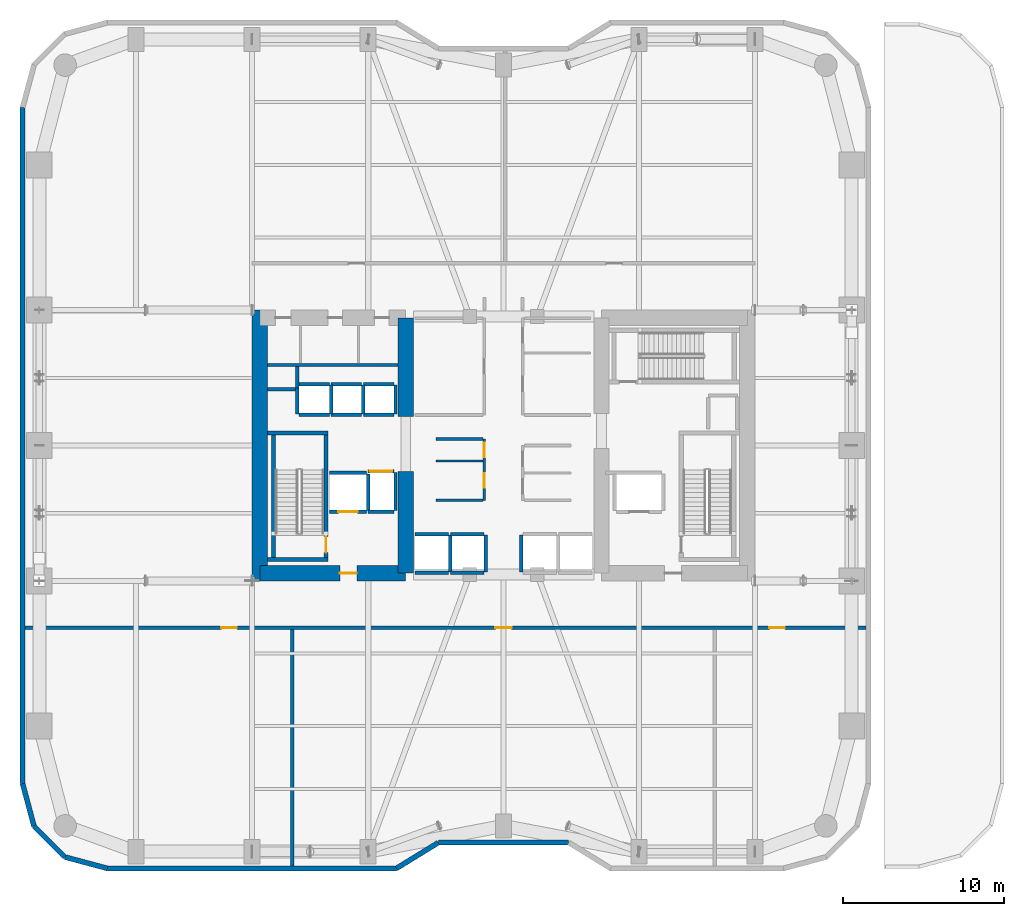
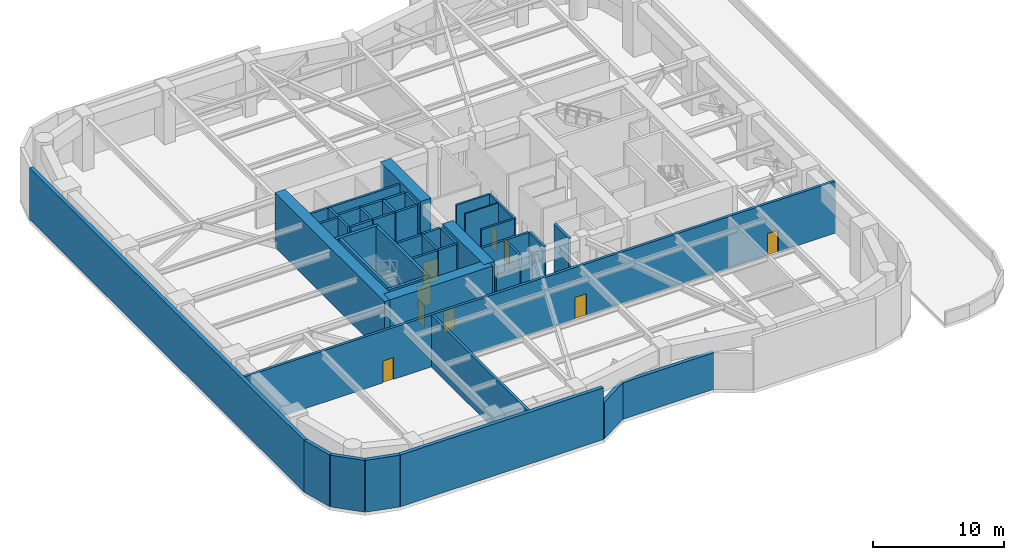
# One storey, part 12 of 16: 47 walls, 9 doors, 9 openings.
"""IFC4 building model written with IfcOpenShell, lengths in metres."""

from ifc_helpers import new_model, si_unit, direction, frame, frame_2d, origin, place, context, subcontext, project, spatial, rectangle, extrude, material, layer, layer_set, type_object, element, fill, save


model = new_model("IFC4")

# Units and contexts
model_context = context("Model", 3, precision=1e-05, world=origin(), true_north=direction((0.0, 1.0)))
body_context = subcontext(model_context, "Body", "Model", "MODEL_VIEW")
ifc_project = project(units=[si_unit("LENGTHUNIT", "METRE"), si_unit("AREAUNIT", "SQUARE_METRE"), si_unit("VOLUMEUNIT", "CUBIC_METRE"), si_unit("PLANEANGLEUNIT", "RADIAN"), si_unit("MASSUNIT", "GRAM", prefix="KILO")], contexts=[model_context])

# Site, building, storey
site_placement = place(None, origin())
site = spatial("IfcSite", under=ifc_project, at=site_placement, CompositionType="ELEMENT")
building_placement = place(site_placement, origin())
building = spatial("IfcBuilding", under=site, at=building_placement, Name="Kiyonajd Concourse Tower", CompositionType="ELEMENT")
storey_placement = place(building_placement, frame((0.0, 0.0, 80.699951171875)))
storey = spatial("IfcBuildingStorey", under=building, at=storey_placement, Name="L21", CompositionType="ELEMENT", Elevation=80.699951171875)

# Walls
ifc_material_1 = material(Name="Concrete C80/95", Category="concrete")
ifc_layer_1 = layer(ifc_material_1, 0.949951171875)
ifc_layer_set_1 = layer_set([ifc_layer_1], Name="Concrete C80/95")
wall_type_1 = type_object("IfcWallType", Name="WL-CORE-950", PredefinedType="SHEAR", material=ifc_layer_set_1)
wall_1_placement = place(storey_placement, frame((32.875, 27.60009765625, 0.0), z_axis=(0.0, 0.0, 1.0), x_axis=(0.0, 1.0, 0.0)))
element("IfcWall", 1, at=wall_1_placement, inside=storey, type_object=wall_type_1, Name="L21 West Core Outer Shear Wall", PredefinedType="SHEAR", context=body_context, shape_type="SweptSolid", body=[
    extrude(rectangle(XDim=16.7998046875, YDim=0.949951171875, at=frame_2d((8.39990234375, 0.0))), origin(), (0.0, 0.0, 1.0), 5.10009765625),
])
wall_2_placement = place(storey_placement, frame((41.925048828125, 28.074951171875, 0.0), z_axis=(0.0, 0.0, 1.0), x_axis=(0.0, 1.0, 0.0)))
element("IfcWall", 2, at=wall_2_placement, inside=storey, type_object=wall_type_1, Name="L21 West Core Inner South Shear Wall", PredefinedType="SHEAR", context=body_context, shape_type="SweptSolid", body=[
    extrude(rectangle(XDim=6.324951171875, YDim=0.949951171875, at=frame_2d((3.16259765625, 0.0))), origin(), (0.0, 0.0, 1.0), 5.10009765625),
])
wall_3_placement = place(storey_placement, frame((41.925048828125, 37.800048828125, 0.0), z_axis=(0.0, 0.0, 1.0), x_axis=(0.0, 1.0, 0.0)))
element("IfcWall", 3, at=wall_3_placement, inside=storey, type_object=wall_type_1, Name="L21 West Core Inner North Shear Wall", PredefinedType="SHEAR", context=body_context, shape_type="SweptSolid", body=[
    extrude(rectangle(XDim=6.125, YDim=0.949951171875, at=frame_2d((3.0625, 0.0))), origin(), (0.0, 0.0, 1.0), 5.10009765625),
])

# Wall, opening, door
wall_4_placement = place(storey_placement, frame((32.875, 28.074951171875, 0.0), z_axis=(0.0, 0.0, 1.0), x_axis=(1.0, 0.0, 0.0)))
wall_4 = element("IfcWall", 4, at=wall_4_placement, inside=storey, type_object=wall_type_1, Name="L21 West Core South Shear Wall", PredefinedType="SHEAR", context=body_context, shape_type="SweptSolid", body=[
    extrude(rectangle(XDim=9.050048828125, YDim=0.949951171875, at=frame_2d((4.52490234375, 0.0))), origin(), (0.0, 0.0, 1.0), 5.10009765625),
])
opening_1_placement = place(wall_4_placement, frame((4.97509765625, 0.0, 0.0)))
opening_1 = element("IfcOpeningElement", 5, at=opening_1_placement, cuts=wall_4, Name="Opening DF5", PredefinedType="OPENING", context=body_context, shape_type="SweptSolid", body=[
    extrude(rectangle(XDim=1.050048828125, YDim=2.0400390625, at=frame_2d((0.52490234375, 1.02001953125))), frame((0.0, 0.48486328125, 0.0), z_axis=(0.0, -1.0, 0.0), x_axis=(1.0, 0.0, 0.0)), (0.0, 0.0, 1.0), 0.969970703125),
])
ifc_material_2 = material(Name="Brushed Stainless Steel Cab Assembly", Category="steel")
door_type_1 = type_object("IfcDoorType", Name="DR-FD45-1050", OperationType="NOTDEFINED", PredefinedType="DOOR", material=ifc_material_2)
door_1_placement = place(opening_1_placement, origin())
door_1 = element("IfcDoor", 6, at=door_1_placement, inside=storey, type_object=door_type_1, Name="L21 Firefighting Lift Lobby W Smoke Door", OperationType="SINGLE_SWING_LEFT", OverallHeight=2.0400390625, OverallWidth=1.050048828125, PredefinedType="DOOR", context=body_context, shape_type="SweptSolid", body=[
    extrude(rectangle(XDim=1.050048828125, YDim=2.0400390625, at=frame_2d((0.52490234375, 1.02001953125))), frame((0.0, 0.02490234375, 0.0), z_axis=(0.0, -1.0, 0.0), x_axis=(1.0, 0.0, 0.0)), (0.0, 0.0, 1.0), 0.050048828125),
])
fill(opening_1, door_1)

# Walls
ifc_material_3 = material(Name="Precast concrete C50/60", Category="concrete")
ifc_layer_2 = layer(ifc_material_3, 0.320068359375)
ifc_layer_set_2 = layer_set([ifc_layer_2], Name="Precast concrete C50/60")
wall_type_2 = type_object("IfcWallType", Name="WL-EXT-320", PredefinedType="SOLIDWALL", material=ifc_layer_set_2)
wall_5_placement = place(storey_placement, frame((18.159912109375, 15.02099609375, 0.0), z_axis=(0.0, 0.0, 1.0), x_axis=(0.0, 1.0, 0.0)))
element("IfcWall", 7, at=wall_5_placement, inside=storey, type_object=wall_type_2, Name="L21 Exterior Concrete Frame Wall 00", PredefinedType="SOLIDWALL", context=body_context, shape_type="SweptSolid", body=[
    extrude(rectangle(XDim=41.9580078125, YDim=0.320068359375, at=frame_2d((20.97900390625, 0.0))), origin(), (0.0, 0.0, 1.0), 4.840087890625),
])
wall_6_placement = place(storey_placement, frame((52.04541015625, 11.360107421875, 0.0), z_axis=(0.0, 0.0, 1.0), x_axis=(-1.0, 0.0, 0.0)))
element("IfcWall", 8, at=wall_6_placement, inside=storey, type_object=wall_type_2, Name="L21 Exterior Concrete Frame Wall 18", PredefinedType="SOLIDWALL", context=body_context, shape_type="SweptSolid", body=[
    extrude(rectangle(XDim=8.0908203125, YDim=0.320068359375, at=frame_2d((4.04541015625, 0.0))), origin(), (0.0, 0.0, 1.0), 3.425048828125),
])
wall_7_placement = place(storey_placement, frame((43.95458984375, 11.360107421875, 0.0), z_axis=(0.0, 0.0, 1.0), x_axis=(-0.851630857047, -0.524142044989, 0.0)))
element("IfcWall", 9, at=wall_7_placement, inside=storey, type_object=wall_type_2, Name="L21 Exterior Concrete Frame Wall 19", PredefinedType="SOLIDWALL", context=body_context, shape_type="SweptSolid", body=[
    extrude(rectangle(XDim=3.052734375, YDim=0.320068359375, at=frame_2d((1.5263671875, 0.0))), origin(), (0.0, 0.0, 1.0), 3.425048828125),
])
wall_8_placement = place(storey_placement, frame((41.354736328125, 9.760009765625, 0.0), z_axis=(0.0, 0.0, 1.0), x_axis=(-1.0, 0.0, 0.0)))
element("IfcWall", 10, at=wall_8_placement, inside=storey, type_object=wall_type_2, Name="L21 Exterior Concrete Frame Wall 20", PredefinedType="SOLIDWALL", context=body_context, shape_type="SweptSolid", body=[
    extrude(rectangle(XDim=17.93359375, YDim=0.320068359375, at=frame_2d((8.966796875, 0.0))), origin(), (0.0, 0.0, 1.0), 4.840087890625),
])
wall_9_placement = place(storey_placement, frame((23.421142578125, 9.760009765625, 0.0), z_axis=(0.0, 0.0, 1.0), x_axis=(-0.965964405026, 0.25867502435, 0.0)))
element("IfcWall", 11, at=wall_9_placement, inside=storey, type_object=wall_type_2, Name="L21 Exterior Concrete Frame Wall 21", PredefinedType="SOLIDWALL", context=body_context, shape_type="SweptSolid", body=[
    extrude(rectangle(XDim=2.7314453125, YDim=0.320068359375, at=frame_2d((1.36572265625, 0.0))), origin(), (0.0, 0.0, 1.0), 4.840087890625),
])
wall_10_placement = place(storey_placement, frame((20.78271484375, 10.466552734375, 0.0), z_axis=(0.0, 0.0, 1.0), x_axis=(-0.707106781187, 0.707106781187, 0.0)))
element("IfcWall", 12, at=wall_10_placement, inside=storey, type_object=wall_type_2, Name="L21 Exterior Concrete Frame Wall 22", PredefinedType="SOLIDWALL", context=body_context, shape_type="SweptSolid", body=[
    extrude(rectangle(XDim=2.7099609375, YDim=0.320068359375, at=frame_2d((1.35498046875, 0.0))), origin(), (0.0, 0.0, 1.0), 4.840087890625),
])
wall_11_placement = place(storey_placement, frame((18.866455078125, 12.3828125, 0.0), z_axis=(0.0, 0.0, 1.0), x_axis=(-0.25869736047, 0.965958423373, 0.0)))
element("IfcWall", 13, at=wall_11_placement, inside=storey, type_object=wall_type_2, Name="L21 Exterior Concrete Frame Wall 23", PredefinedType="SOLIDWALL", context=body_context, shape_type="SweptSolid", body=[
    extrude(rectangle(XDim=2.731201171875, YDim=0.320068359375, at=frame_2d((1.36572265625, 0.0))), origin(), (0.0, 0.0, 1.0), 4.840087890625),
])

# Wall, openings, doors
ifc_material_4 = material(Name="Gypsum Board on Cold-Formed Steel Stud", Category="steel")
ifc_layer_3 = layer(ifc_material_4, 0.22998046875)
ifc_layer_set_3 = layer_set([ifc_layer_3], Name="Gypsum Board on Cold-Formed Steel Stud")
wall_type_3 = type_object("IfcWallType", Name="WL-FIRE-230", PredefinedType="PARTITIONING", material=ifc_layer_set_3)
wall_12_placement = place(storey_placement, frame((18.31494140625, 24.699951171875, 0.0), z_axis=(0.0, 0.0, 1.0), x_axis=(1.0, 0.0, 0.0)))
wall_12 = element("IfcWall", 14, at=wall_12_placement, inside=storey, type_object=wall_type_3, Name="L21 Interior Partition Wall", PredefinedType="PARTITIONING", context=body_context, shape_type="SweptSolid", body=[
    extrude(rectangle(XDim=52.170166015625, YDim=0.22998046875, at=frame_2d((26.0849609375, 0.0))), origin(), (0.0, 0.0, 1.0), 4.840087890625),
])
opening_2_placement = place(wall_12_placement, frame((29.18505859375, 0.0, 0.0)))
opening_2 = element("IfcOpeningElement", 15, at=opening_2_placement, cuts=wall_12, Name="Opening DF1", PredefinedType="OPENING", context=body_context, shape_type="SweptSolid", body=[
    extrude(rectangle(XDim=1.0, YDim=2.0400390625, at=frame_2d((0.5, 1.02001953125))), frame((0.0, 0.125, 0.0), z_axis=(0.0, -1.0, 0.0), x_axis=(1.0, 0.0, 0.0)), (0.0, 0.0, 1.0), 0.25),
])
opening_3_placement = place(wall_12_placement, frame((12.18505859375, 0.0, 0.0)))
opening_3 = element("IfcOpeningElement", 16, at=opening_3_placement, cuts=wall_12, Name="Opening DF3", PredefinedType="OPENING", context=body_context, shape_type="SweptSolid", body=[
    extrude(rectangle(XDim=0.949951171875, YDim=2.0400390625, at=frame_2d((0.47509765625, 1.02001953125))), frame((0.0, 0.125, 0.0), z_axis=(0.0, -1.0, 0.0), x_axis=(1.0, 0.0, 0.0)), (0.0, 0.0, 1.0), 0.25),
])
opening_4_placement = place(wall_12_placement, frame((46.18505859375, 0.0, 0.0)))
opening_4 = element("IfcOpeningElement", 17, at=opening_4_placement, cuts=wall_12, Name="Opening DF3", PredefinedType="OPENING", context=body_context, shape_type="SweptSolid", body=[
    extrude(rectangle(XDim=0.949951171875, YDim=2.0400390625, at=frame_2d((0.47509765625, 1.02001953125))), frame((0.0, 0.125, 0.0), z_axis=(0.0, -1.0, 0.0), x_axis=(1.0, 0.0, 0.0)), (0.0, 0.0, 1.0), 0.25),
])
door_type_2 = type_object("IfcDoorType", Name="DR-FD60-950", OperationType="NOTDEFINED", PredefinedType="DOOR", material=ifc_material_2)
door_2_placement = place(opening_3_placement, origin())
door_2 = element("IfcDoor", 18, at=door_2_placement, inside=storey, type_object=door_type_2, Name="L21 Interior Door", OperationType="SINGLE_SWING_RIGHT", OverallHeight=2.0400390625, OverallWidth=0.949951171875, PredefinedType="DOOR", context=body_context, shape_type="SweptSolid", body=[
    extrude(rectangle(XDim=0.949951171875, YDim=2.0400390625, at=frame_2d((0.47509765625, 1.02001953125))), frame((0.0, 0.02490234375, 0.0), z_axis=(0.0, -1.0, 0.0), x_axis=(1.0, 0.0, 0.0)), (0.0, 0.0, 1.0), 0.050048828125),
])
fill(opening_3, door_2)
door_3_placement = place(opening_4_placement, origin())
door_3 = element("IfcDoor", 19, at=door_3_placement, inside=storey, type_object=door_type_2, Name="L21 Interior Door", OperationType="SINGLE_SWING_LEFT", OverallHeight=2.0400390625, OverallWidth=0.949951171875, PredefinedType="DOOR", context=body_context, shape_type="SweptSolid", body=[
    extrude(rectangle(XDim=0.949951171875, YDim=2.0400390625, at=frame_2d((0.47509765625, 1.02001953125))), frame((0.0, 0.02490234375, 0.0), z_axis=(0.0, -1.0, 0.0), x_axis=(1.0, 0.0, 0.0)), (0.0, 0.0, 1.0), 0.050048828125),
])
fill(opening_4, door_3)
door_type_3 = type_object("IfcDoorType", Name="DR-FD90-1000", OperationType="NOTDEFINED", PredefinedType="DOOR", material=ifc_material_2)
door_4_placement = place(opening_2_placement, origin())
door_4 = element("IfcDoor", 20, at=door_4_placement, inside=storey, type_object=door_type_3, Name="L21 Interior Door", OperationType="SINGLE_SWING_LEFT", OverallHeight=2.0400390625, OverallWidth=1.0, PredefinedType="DOOR", context=body_context, shape_type="SweptSolid", body=[
    extrude(rectangle(XDim=1.0, YDim=2.0400390625, at=frame_2d((0.5, 1.02001953125))), frame((0.0, 0.02490234375, 0.0), z_axis=(0.0, -1.0, 0.0), x_axis=(1.0, 0.0, 0.0)), (0.0, 0.0, 1.0), 0.050048828125),
])
fill(opening_2, door_4)

# Walls
wall_13_placement = place(storey_placement, frame((34.89990234375, 9.9150390625, 0.0), z_axis=(0.0, 0.0, 1.0), x_axis=(0.0, 1.0, 0.0)))
element("IfcWall", 21, at=wall_13_placement, inside=storey, type_object=wall_type_3, Name="L21 Interior Partition Wall", PredefinedType="PARTITIONING", context=body_context, shape_type="SweptSolid", body=[
    extrude(rectangle(XDim=14.66796875, YDim=0.22998046875, at=frame_2d((7.333984375, 0.0))), origin(), (0.0, 0.0, 1.0), 4.840087890625),
])
ifc_layer_4 = layer(ifc_material_4, 0.125)
ifc_layer_set_4 = layer_set([ifc_layer_4], Name="Gypsum Board on Cold-Formed Steel Stud")
wall_type_4 = type_object("IfcWallType", Name="WL-PART-125", PredefinedType="PARTITIONING", material=ifc_layer_set_4)
wall_14_placement = place(storey_placement, frame((43.800048828125, 35.031982421875, 0.0), z_axis=(0.0, 0.0, 1.0), x_axis=(1.0, 0.0, 0.0)))
element("IfcWall", 22, at=wall_14_placement, inside=storey, type_object=wall_type_4, Name="L21 Interior Partition Wall", PredefinedType="PARTITIONING", context=body_context, shape_type="SweptSolid", body=[
    extrude(rectangle(XDim=2.912841796875, YDim=0.125, at=frame_2d((1.45654296875, 0.0))), origin(), (0.0, 0.0, 1.0), 4.840087890625),
])
ifc_layer_5 = layer(ifc_material_4, 0.18994140625)
ifc_layer_set_5 = layer_set([ifc_layer_5], Name="Gypsum Board on Cold-Formed Steel Stud")
wall_type_5 = type_object("IfcWallType", Name="WL-PLMB-190", PredefinedType="PLUMBINGWALL", material=ifc_layer_set_5)
wall_15_placement = place(storey_placement, frame((33.35009765625, 41.0, 0.0), z_axis=(0.0, 0.0, 1.0), x_axis=(1.0, 0.0, 0.0)))
element("IfcWall", 23, at=wall_15_placement, inside=storey, type_object=wall_type_5, Name="L21 Interior Partition Wall", PredefinedType="PLUMBINGWALL", context=body_context, shape_type="SweptSolid", body=[
    extrude(rectangle(XDim=8.099853515625, YDim=0.18994140625, at=frame_2d((4.0498046875, 0.0))), origin(), (0.0, 0.0, 1.0), 4.840087890625),
])
ifc_layer_6 = layer(ifc_material_4, 0.2099609375)
ifc_layer_set_6 = layer_set([ifc_layer_6], Name="Gypsum Board on Cold-Formed Steel Stud")
wall_type_6 = type_object("IfcWallType", Name="WL-SHAFT-210", PredefinedType="PARTITIONING", material=ifc_layer_set_6)
wall_16_placement = place(storey_placement, frame((33.360107421875, 39.5, 0.0), z_axis=(0.0, 0.0, 1.0), x_axis=(1.0, 0.0, 0.0)))
element("IfcWall", 24, at=wall_16_placement, inside=storey, type_object=wall_type_6, Name="L21 Shaft Enclosure Wall", PredefinedType="PARTITIONING", context=body_context, shape_type="SweptSolid", body=[
    extrude(rectangle(XDim=1.85986328125, YDim=0.2099609375, at=frame_2d((0.929931640625, 0.0))), origin(), (0.0, 0.0, 1.0), 4.840087890625),
])
wall_17_placement = place(storey_placement, frame((35.199951171875, 39.580078125, 0.0), z_axis=(0.0, 0.0, 1.0), x_axis=(0.0, 1.0, 0.0)))
element("IfcWall", 25, at=wall_17_placement, inside=storey, type_object=wall_type_6, Name="L21 Shaft Enclosure Wall", PredefinedType="PARTITIONING", context=body_context, shape_type="SweptSolid", body=[
    extrude(rectangle(XDim=1.31982421875, YDim=0.2099609375, at=frame_2d((0.659912109375, 0.0))), origin(), (0.0, 0.0, 1.0), 4.840087890625),
])

# Wall, opening, door
wall_18_placement = place(storey_placement, frame((37.199951171875, 31.89990234375, 0.0), z_axis=(0.0, 0.0, 1.0), x_axis=(1.0, 0.0, 0.0)))
wall_18 = element("IfcWall", 26, at=wall_18_placement, inside=storey, type_object=wall_type_6, Name="L21 Shaft Enclosure Wall", PredefinedType="PARTITIONING", context=body_context, shape_type="SweptSolid", body=[
    extrude(rectangle(XDim=2.300048828125, YDim=0.2099609375, at=frame_2d((1.14990234375, 0.0))), origin(), (0.0, 0.0, 1.0), 4.840087890625),
])
opening_5_placement = place(wall_18_placement, frame((0.550048828125, 0.0, 0.0)))
opening_5 = element("IfcOpeningElement", 27, at=opening_5_placement, cuts=wall_18, Name="Opening LD2", PredefinedType="OPENING", context=body_context, shape_type="SweptSolid", body=[
    extrude(rectangle(XDim=1.199951171875, YDim=2.0400390625, at=frame_2d((0.60009765625, 1.02001953125))), frame((0.0, 0.114990234375, 0.0), z_axis=(0.0, -1.0, 0.0), x_axis=(1.0, 0.0, 0.0)), (0.0, 0.0, 1.0), 0.22998046875),
])
door_type_4 = type_object("IfcDoorType", Name="DR-LD-1200", OperationType="DOUBLE_DOOR_SLIDING", PredefinedType="DOOR", material=ifc_material_2)
door_5_placement = place(opening_5_placement, origin())
door_5 = element("IfcDoor", 28, at=door_5_placement, inside=storey, type_object=door_type_4, Name="L21 Lift FFL1 Sliding Landing Door", OperationType="DOUBLE_DOOR_SLIDING", OverallHeight=2.0400390625, OverallWidth=1.199951171875, PredefinedType="DOOR", context=body_context, shape_type="SweptSolid", body=[
    extrude(rectangle(XDim=1.199951171875, YDim=2.0400390625, at=frame_2d((0.60009765625, 1.02001953125))), frame((0.0, 0.02490234375, 0.0), z_axis=(0.0, -1.0, 0.0), x_axis=(1.0, 0.0, 0.0)), (0.0, 0.0, 1.0), 0.050048828125),
])
fill(opening_5, door_5)

# Walls
wall_19_placement = place(storey_placement, frame((37.199951171875, 34.300048828125, 0.0), z_axis=(0.0, 0.0, 1.0), x_axis=(1.0, 0.0, 0.0)))
element("IfcWall", 29, at=wall_19_placement, inside=storey, type_object=wall_type_6, Name="L21 Shaft Enclosure Wall", PredefinedType="PARTITIONING", context=body_context, shape_type="SweptSolid", body=[
    extrude(rectangle(XDim=2.300048828125, YDim=0.2099609375, at=frame_2d((1.14990234375, 0.0))), origin(), (0.0, 0.0, 1.0), 4.840087890625),
])
wall_20_placement = place(storey_placement, frame((39.60009765625, 31.9599609375, 0.0), z_axis=(0.0, 0.0, 1.0), x_axis=(0.0, 1.0, 0.0)))
element("IfcWall", 30, at=wall_20_placement, inside=storey, type_object=wall_type_6, Name="L21 Shaft Enclosure Wall", PredefinedType="PARTITIONING", context=body_context, shape_type="SweptSolid", body=[
    extrude(rectangle(XDim=2.280029296875, YDim=0.2099609375, at=frame_2d((1.14013671875, 0.0))), origin(), (0.0, 0.0, 1.0), 4.840087890625),
])

# Wall, opening, door
wall_21_placement = place(storey_placement, frame((39.60009765625, 34.39990234375, 0.0), z_axis=(0.0, 0.0, 1.0), x_axis=(1.0, 0.0, 0.0)))
wall_21 = element("IfcWall", 31, at=wall_21_placement, inside=storey, type_object=wall_type_6, Name="L21 Shaft Enclosure Wall", PredefinedType="PARTITIONING", context=body_context, shape_type="SweptSolid", body=[
    extrude(rectangle(XDim=1.599853515625, YDim=0.2099609375, at=frame_2d((0.7998046875, 0.0))), origin(), (0.0, 0.0, 1.0), 4.840087890625),
])
opening_6_placement = place(wall_21_placement, frame((0.10009765625, 0.0, 0.0)))
opening_6 = element("IfcOpeningElement", 32, at=opening_6_placement, cuts=wall_21, Name="Opening LD3", PredefinedType="OPENING", context=body_context, shape_type="SweptSolid", body=[
    extrude(rectangle(XDim=1.39990234375, YDim=2.06005859375, at=frame_2d((0.699951171875, 1.030029296875))), frame((0.0, 0.114990234375, 0.0), z_axis=(0.0, -1.0, 0.0), x_axis=(1.0, 0.0, 0.0)), (0.0, 0.0, 1.0), 0.22998046875),
])
door_type_5 = type_object("IfcDoorType", Name="DR-LD-1400", OperationType="DOUBLE_DOOR_SLIDING", PredefinedType="DOOR", material=ifc_material_2)
door_6_placement = place(opening_6_placement, origin())
door_6 = element("IfcDoor", 33, at=door_6_placement, inside=storey, type_object=door_type_5, Name="L21 Lift SVL1 Sliding Landing Door", OperationType="DOUBLE_DOOR_SLIDING", OverallHeight=2.06005859375, OverallWidth=1.39990234375, PredefinedType="DOOR", context=body_context, shape_type="SweptSolid", body=[
    extrude(rectangle(XDim=1.39990234375, YDim=2.06005859375, at=frame_2d((0.699951171875, 1.030029296875))), frame((0.0, 0.02490234375, 0.0), z_axis=(0.0, -1.0, 0.0), x_axis=(1.0, 0.0, 0.0)), (0.0, 0.0, 1.0), 0.050048828125),
])
fill(opening_6, door_6)

# Walls
wall_22_placement = place(storey_placement, frame((39.60009765625, 31.89990234375, 0.0), z_axis=(0.0, 0.0, 1.0), x_axis=(1.0, 0.0, 0.0)))
element("IfcWall", 34, at=wall_22_placement, inside=storey, type_object=wall_type_6, Name="L21 Shaft Enclosure Wall", PredefinedType="PARTITIONING", context=body_context, shape_type="SweptSolid", body=[
    extrude(rectangle(XDim=1.599853515625, YDim=0.2099609375, at=frame_2d((0.7998046875, 0.0))), origin(), (0.0, 0.0, 1.0), 4.840087890625),
])
wall_23_placement = place(storey_placement, frame((41.300048828125, 31.9599609375, 0.0), z_axis=(0.0, 0.0, 1.0), x_axis=(0.0, 1.0, 0.0)))
element("IfcWall", 35, at=wall_23_placement, inside=storey, type_object=wall_type_6, Name="L21 Shaft Enclosure Wall", PredefinedType="PARTITIONING", context=body_context, shape_type="SweptSolid", body=[
    extrude(rectangle(XDim=2.380126953125, YDim=0.2099609375, at=frame_2d((1.18994140625, 0.0))), origin(), (0.0, 0.0, 1.0), 4.840087890625),
])
wall_24_placement = place(storey_placement, frame((42.5, 30.5, 0.0), z_axis=(0.0, 0.0, 1.0), x_axis=(1.0, 0.0, 0.0)))
element("IfcWall", 36, at=wall_24_placement, inside=storey, type_object=wall_type_6, Name="L21 Shaft Enclosure Wall", PredefinedType="PARTITIONING", context=body_context, shape_type="SweptSolid", body=[
    extrude(rectangle(XDim=2.10009765625, YDim=0.2099609375, at=frame_2d((1.050048828125, 0.0))), origin(), (0.0, 0.0, 1.0), 4.840087890625),
])
wall_25_placement = place(storey_placement, frame((42.5, 28.10009765625, 0.0), z_axis=(0.0, 0.0, 1.0), x_axis=(1.0, 0.0, 0.0)))
element("IfcWall", 37, at=wall_25_placement, inside=storey, type_object=wall_type_6, Name="L21 Shaft Enclosure Wall", PredefinedType="PARTITIONING", context=body_context, shape_type="SweptSolid", body=[
    extrude(rectangle(XDim=2.10009765625, YDim=0.2099609375, at=frame_2d((1.050048828125, 0.0))), origin(), (0.0, 0.0, 1.0), 3.72509765625),
])
wall_26_placement = place(storey_placement, frame((44.699951171875, 28.159912109375, 0.0), z_axis=(0.0, 0.0, 1.0), x_axis=(0.0, 1.0, 0.0)))
element("IfcWall", 38, at=wall_26_placement, inside=storey, type_object=wall_type_6, Name="L21 Shaft Enclosure Wall", PredefinedType="PARTITIONING", context=body_context, shape_type="SweptSolid", body=[
    extrude(rectangle(XDim=2.280029296875, YDim=0.2099609375, at=frame_2d((1.14013671875, 0.0))), origin(), (0.0, 0.0, 1.0), 4.840087890625),
])
wall_27_placement = place(storey_placement, frame((44.699951171875, 30.5, 0.0), z_axis=(0.0, 0.0, 1.0), x_axis=(1.0, 0.0, 0.0)))
element("IfcWall", 39, at=wall_27_placement, inside=storey, type_object=wall_type_6, Name="L21 Shaft Enclosure Wall", PredefinedType="PARTITIONING", context=body_context, shape_type="SweptSolid", body=[
    extrude(rectangle(XDim=2.10009765625, YDim=0.2099609375, at=frame_2d((1.050048828125, 0.0))), origin(), (0.0, 0.0, 1.0), 4.840087890625),
])
wall_28_placement = place(storey_placement, frame((44.699951171875, 28.10009765625, 0.0), z_axis=(0.0, 0.0, 1.0), x_axis=(1.0, 0.0, 0.0)))
element("IfcWall", 40, at=wall_28_placement, inside=storey, type_object=wall_type_6, Name="L21 Shaft Enclosure Wall", PredefinedType="PARTITIONING", context=body_context, shape_type="SweptSolid", body=[
    extrude(rectangle(XDim=2.10009765625, YDim=0.2099609375, at=frame_2d((1.050048828125, 0.0))), origin(), (0.0, 0.0, 1.0), 3.72509765625),
])
for number, where, z_axis, x_axis, name in (
    (41, (46.89990234375, 28.159912109375, 0.0), (0.0, 0.0, 1.0), (0.0, 1.0, 0.0), "L21 Shaft Enclosure Wall"),
    (42, (49.10009765625, 28.159912109375, 0.0), (0.0, 0.0, 1.0), (0.0, 1.0, 0.0), "L21 Shaft Enclosure Wall"),
):
    element("IfcWall", number, at=place(storey_placement, frame(where, z_axis=z_axis, x_axis=x_axis)), inside=storey, type_object=wall_type_6, Name=name, PredefinedType="PARTITIONING", context=body_context, shape_type="SweptSolid", body=[
        extrude(rectangle(XDim=2.280029296875, YDim=0.2099609375, at=frame_2d((1.14013671875, 0.0))), origin(), (0.0, 0.0, 1.0), 4.840087890625),
    ])
for number, where, z_axis, x_axis, name in (
    (43, (35.300048828125, 37.89990234375, 0.0), (0.0, 0.0, 1.0), (1.0, 0.0, 0.0), "L21 Shaft Enclosure Wall"),
    (44, (35.300048828125, 39.800048828125, 0.0), (0.0, 0.0, 1.0), (1.0, 0.0, 0.0), "L21 Shaft Enclosure Wall"),
):
    element("IfcWall", number, at=place(storey_placement, frame(where, z_axis=z_axis, x_axis=x_axis)), inside=storey, type_object=wall_type_6, Name=name, PredefinedType="PARTITIONING", context=body_context, shape_type="SweptSolid", body=[
        extrude(rectangle(XDim=1.89990234375, YDim=0.2099609375, at=frame_2d((0.949951171875, 0.0))), origin(), (0.0, 0.0, 1.0), 4.840087890625),
    ])
wall_29_placement = place(storey_placement, frame((35.199951171875, 37.9599609375, 0.0), z_axis=(0.0, 0.0, 1.0), x_axis=(0.0, 1.0, 0.0)))
element("IfcWall", 45, at=wall_29_placement, inside=storey, type_object=wall_type_6, Name="L21 Shaft Enclosure Wall", PredefinedType="PARTITIONING", context=body_context, shape_type="SweptSolid", body=[
    extrude(rectangle(XDim=1.6201171875, YDim=0.2099609375, at=frame_2d((0.81005859375, 0.0))), origin(), (0.0, 0.0, 1.0), 4.840087890625),
])
wall_30_placement = place(storey_placement, frame((37.300048828125, 37.9599609375, 0.0), z_axis=(0.0, 0.0, 1.0), x_axis=(0.0, 1.0, 0.0)))
element("IfcWall", 46, at=wall_30_placement, inside=storey, type_object=wall_type_6, Name="L21 Shaft Enclosure Wall", PredefinedType="PARTITIONING", context=body_context, shape_type="SweptSolid", body=[
    extrude(rectangle(XDim=1.780029296875, YDim=0.2099609375, at=frame_2d((0.89013671875, 0.0))), origin(), (0.0, 0.0, 1.0), 4.840087890625),
])
for number, where, z_axis, x_axis, name in (
    (47, (37.300048828125, 37.89990234375, 0.0), (0.0, 0.0, 1.0), (1.0, 0.0, 0.0), "L21 Shaft Enclosure Wall"),
    (48, (37.300048828125, 39.800048828125, 0.0), (0.0, 0.0, 1.0), (1.0, 0.0, 0.0), "L21 Shaft Enclosure Wall"),
):
    element("IfcWall", number, at=place(storey_placement, frame(where, z_axis=z_axis, x_axis=x_axis)), inside=storey, type_object=wall_type_6, Name=name, PredefinedType="PARTITIONING", context=body_context, shape_type="SweptSolid", body=[
        extrude(rectangle(XDim=1.89990234375, YDim=0.2099609375, at=frame_2d((0.949951171875, 0.0))), origin(), (0.0, 0.0, 1.0), 4.840087890625),
    ])
wall_31_placement = place(storey_placement, frame((39.300048828125, 37.9599609375, 0.0), z_axis=(0.0, 0.0, 1.0), x_axis=(0.0, 1.0, 0.0)))
element("IfcWall", 49, at=wall_31_placement, inside=storey, type_object=wall_type_6, Name="L21 Shaft Enclosure Wall", PredefinedType="PARTITIONING", context=body_context, shape_type="SweptSolid", body=[
    extrude(rectangle(XDim=1.780029296875, YDim=0.2099609375, at=frame_2d((0.89013671875, 0.0))), origin(), (0.0, 0.0, 1.0), 4.840087890625),
])
for number, where, z_axis, x_axis, name in (
    (50, (39.300048828125, 37.89990234375, 0.0), (0.0, 0.0, 1.0), (1.0, 0.0, 0.0), "L21 Shaft Enclosure Wall"),
    (51, (39.300048828125, 39.800048828125, 0.0), (0.0, 0.0, 1.0), (1.0, 0.0, 0.0), "L21 Shaft Enclosure Wall"),
):
    element("IfcWall", number, at=place(storey_placement, frame(where, z_axis=z_axis, x_axis=x_axis)), inside=storey, type_object=wall_type_6, Name=name, PredefinedType="PARTITIONING", context=body_context, shape_type="SweptSolid", body=[
        extrude(rectangle(XDim=1.89990234375, YDim=0.2099609375, at=frame_2d((0.949951171875, 0.0))), origin(), (0.0, 0.0, 1.0), 4.840087890625),
    ])
wall_32_placement = place(storey_placement, frame((41.300048828125, 37.9599609375, 0.0), z_axis=(0.0, 0.0, 1.0), x_axis=(0.0, 1.0, 0.0)))
element("IfcWall", 52, at=wall_32_placement, inside=storey, type_object=wall_type_6, Name="L21 Shaft Enclosure Wall", PredefinedType="PARTITIONING", context=body_context, shape_type="SweptSolid", body=[
    extrude(rectangle(XDim=1.780029296875, YDim=0.2099609375, at=frame_2d((0.89013671875, 0.0))), origin(), (0.0, 0.0, 1.0), 4.840087890625),
])

# Wall, openings, doors
ifc_layer_7 = layer(ifc_material_4, 0.169921875)
ifc_layer_set_7 = layer_set([ifc_layer_7], Name="Gypsum Board on Cold-Formed Steel Stud")
wall_type_7 = type_object("IfcWallType", Name="WL-SMK-170", PredefinedType="PARTITIONING", material=ifc_layer_set_7)
wall_33_placement = place(storey_placement, frame((46.800048828125, 32.60009765625, 0.0), z_axis=(0.0, 0.0, 1.0), x_axis=(0.0, 1.0, 0.0)))
wall_33 = element("IfcWall", 53, at=wall_33_placement, inside=storey, type_object=wall_type_7, Name="L21 Interior Partition Wall", PredefinedType="PARTITIONING", context=body_context, shape_type="SweptSolid", body=[
    extrude(rectangle(XDim=3.7998046875, YDim=0.169921875, at=frame_2d((1.89990234375, 0.0))), origin(), (0.0, 0.0, 1.0), 4.840087890625),
])
opening_7_placement = place(wall_33_placement, frame((0.76611328125, 0.0, 0.0)))
opening_7 = element("IfcOpeningElement", 54, at=opening_7_placement, cuts=wall_33, Name="Opening DF4", PredefinedType="OPENING", context=body_context, shape_type="SweptSolid", body=[
    extrude(rectangle(XDim=0.89990234375, YDim=2.02001953125, at=frame_2d((0.449951171875, 1.010009765625))), frame((0.0, 0.094970703125, 0.0), z_axis=(0.0, -1.0, 0.0), x_axis=(1.0, 0.0, 0.0)), (0.0, 0.0, 1.0), 0.18994140625),
])
opening_8_placement = place(wall_33_placement, frame((2.666015625, 0.0, 0.0)))
opening_8 = element("IfcOpeningElement", 55, at=opening_8_placement, cuts=wall_33, Name="Opening DF4", PredefinedType="OPENING", context=body_context, shape_type="SweptSolid", body=[
    extrude(rectangle(XDim=0.89990234375, YDim=2.02001953125, at=frame_2d((0.449951171875, 1.010009765625))), frame((0.0, 0.094970703125, 0.0), z_axis=(0.0, -1.0, 0.0), x_axis=(1.0, 0.0, 0.0)), (0.0, 0.0, 1.0), 0.18994140625),
])
door_type_6 = type_object("IfcDoorType", Name="DR-FD60-900", OperationType="NOTDEFINED", PredefinedType="DOOR", material=ifc_material_2)
door_7_placement = place(opening_7_placement, origin())
door_7 = element("IfcDoor", 56, at=door_7_placement, inside=storey, type_object=door_type_6, Name="L21 Interior Door", OperationType="SINGLE_SWING_RIGHT", OverallHeight=2.02001953125, OverallWidth=0.89990234375, PredefinedType="DOOR", context=body_context, shape_type="SweptSolid", body=[
    extrude(rectangle(XDim=0.89990234375, YDim=2.02001953125, at=frame_2d((0.449951171875, 1.010009765625))), frame((0.0, 0.02490234375, 0.0), z_axis=(0.0, -1.0, 0.0), x_axis=(1.0, 0.0, 0.0)), (0.0, 0.0, 1.0), 0.050048828125),
])
fill(opening_7, door_7)
door_8_placement = place(opening_8_placement, origin())
door_8 = element("IfcDoor", 57, at=door_8_placement, inside=storey, type_object=door_type_6, Name="L21 Interior Door", OperationType="SINGLE_SWING_LEFT", OverallHeight=2.02001953125, OverallWidth=0.89990234375, PredefinedType="DOOR", context=body_context, shape_type="SweptSolid", body=[
    extrude(rectangle(XDim=0.89990234375, YDim=2.02001953125, at=frame_2d((0.449951171875, 1.010009765625))), frame((0.0, 0.02490234375, 0.0), z_axis=(0.0, -1.0, 0.0), x_axis=(1.0, 0.0, 0.0)), (0.0, 0.0, 1.0), 0.050048828125),
])
fill(opening_8, door_8)

# Walls
for number, where, z_axis, x_axis, name in (
    (58, (43.800048828125, 32.60009765625, 0.0), (0.0, 0.0, 1.0), (1.0, 0.0, 0.0), "L21 Interior Partition Wall"),
    (59, (43.800048828125, 36.39990234375, 0.0), (0.0, 0.0, 1.0), (1.0, 0.0, 0.0), "L21 Interior Partition Wall"),
):
    element("IfcWall", number, at=place(storey_placement, frame(where, z_axis=z_axis, x_axis=x_axis)), inside=storey, type_object=wall_type_7, Name=name, PredefinedType="PARTITIONING", context=body_context, shape_type="SweptSolid", body=[
        extrude(rectangle(XDim=2.912841796875, YDim=0.169921875, at=frame_2d((1.45654296875, 0.0))), origin(), (0.0, 0.0, 1.0), 4.840087890625),
    ])
ifc_material_5 = material(Name="Concrete C50/60", Category="concrete")
ifc_layer_8 = layer(ifc_material_5, 0.260009765625)
ifc_layer_set_8 = layer_set([ifc_layer_8], Name="Concrete C50/60")
wall_type_8 = type_object("IfcWallType", Name="WL-STAIR-260", PredefinedType="SHEAR", material=ifc_layer_set_8)
for number, where, z_axis, x_axis, name in (
    (60, (33.35009765625, 28.919921875, 0.0), (0.0, 0.0, 1.0), (1.0, 0.0, 0.0), "L21 Stair ST1 Structural South Wall"),
    (61, (33.35009765625, 36.780029296875, 0.0), (0.0, 0.0, 1.0), (1.0, 0.0, 0.0), "L21 Stair ST1 Structural North Wall"),
):
    element("IfcWall", number, at=place(storey_placement, frame(where, z_axis=z_axis, x_axis=x_axis)), inside=storey, type_object=wall_type_8, Name=name, PredefinedType="SHEAR", context=body_context, shape_type="SweptSolid", body=[
        extrude(rectangle(XDim=3.760009765625, YDim=0.260009765625, at=frame_2d((1.8798828125, 0.0))), origin(), (0.0, 0.0, 1.0), 5.10009765625),
    ])
wall_34_placement = place(storey_placement, frame((33.719970703125, 29.050048828125, 0.0), z_axis=(0.0, 0.0, 1.0), x_axis=(0.0, 1.0, 0.0)))
element("IfcWall", 62, at=wall_34_placement, inside=storey, type_object=wall_type_8, Name="L21 Stair ST1 Structural West Wall", PredefinedType="SHEAR", context=body_context, shape_type="SweptSolid", body=[
    extrude(rectangle(XDim=7.599853515625, YDim=0.260009765625, at=frame_2d((3.7998046875, 0.0))), origin(), (0.0, 0.0, 1.0), 5.10009765625),
])

# Wall, opening, door
wall_35_placement = place(storey_placement, frame((36.97998046875, 29.050048828125, 0.0), z_axis=(0.0, 0.0, 1.0), x_axis=(0.0, 1.0, 0.0)))
wall_35 = element("IfcWall", 63, at=wall_35_placement, inside=storey, type_object=wall_type_8, Name="L21 Stair ST1 Structural East Wall", PredefinedType="SHEAR", context=body_context, shape_type="SweptSolid", body=[
    extrude(rectangle(XDim=7.599853515625, YDim=0.260009765625, at=frame_2d((3.7998046875, 0.0))), origin(), (0.0, 0.0, 1.0), 5.10009765625),
])
opening_9_placement = place(wall_35_placement, frame((0.300048828125, 0.0, 0.0)))
opening_9 = element("IfcOpeningElement", 64, at=opening_9_placement, cuts=wall_35, Name="Opening DF1", PredefinedType="OPENING", context=body_context, shape_type="SweptSolid", body=[
    extrude(rectangle(XDim=1.0, YDim=2.0400390625, at=frame_2d((0.5, 1.02001953125))), frame((0.0, 0.139892578125, 0.0), z_axis=(0.0, -1.0, 0.0), x_axis=(1.0, 0.0, 0.0)), (0.0, 0.0, 1.0), 0.280029296875),
])
door_9_placement = place(opening_9_placement, origin())
door_9 = element("IfcDoor", 65, at=door_9_placement, inside=storey, type_object=door_type_3, Name="L21 Stair ST1 FSAE Door", OperationType="SINGLE_SWING_LEFT", OverallHeight=2.0400390625, OverallWidth=1.0, PredefinedType="DOOR", context=body_context, shape_type="SweptSolid", body=[
    extrude(rectangle(XDim=1.0, YDim=2.0400390625, at=frame_2d((0.5, 1.02001953125))), frame((0.0, 0.02490234375, 0.0), z_axis=(0.0, -1.0, 0.0), x_axis=(1.0, 0.0, 0.0)), (0.0, 0.0, 1.0), 0.050048828125),
])
fill(opening_9, door_9)

save(model, "model.ifc")
